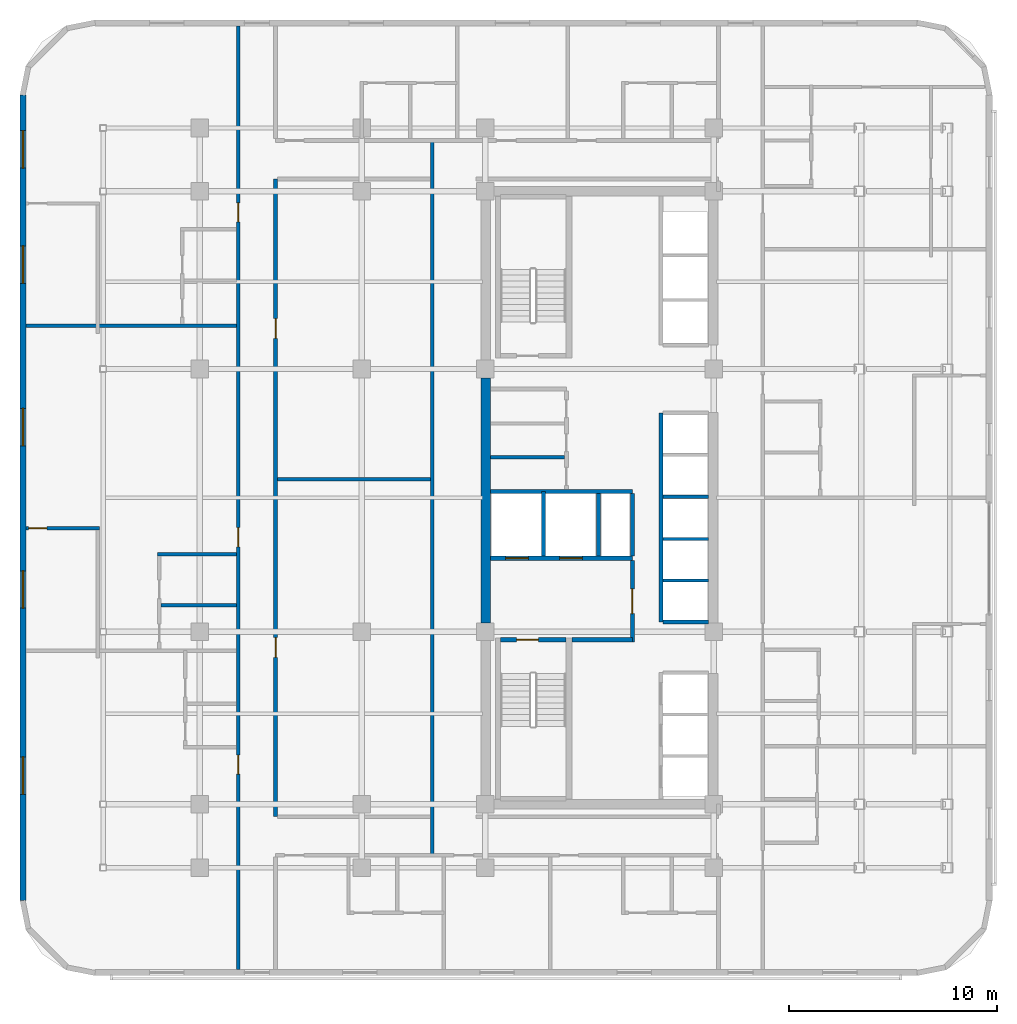
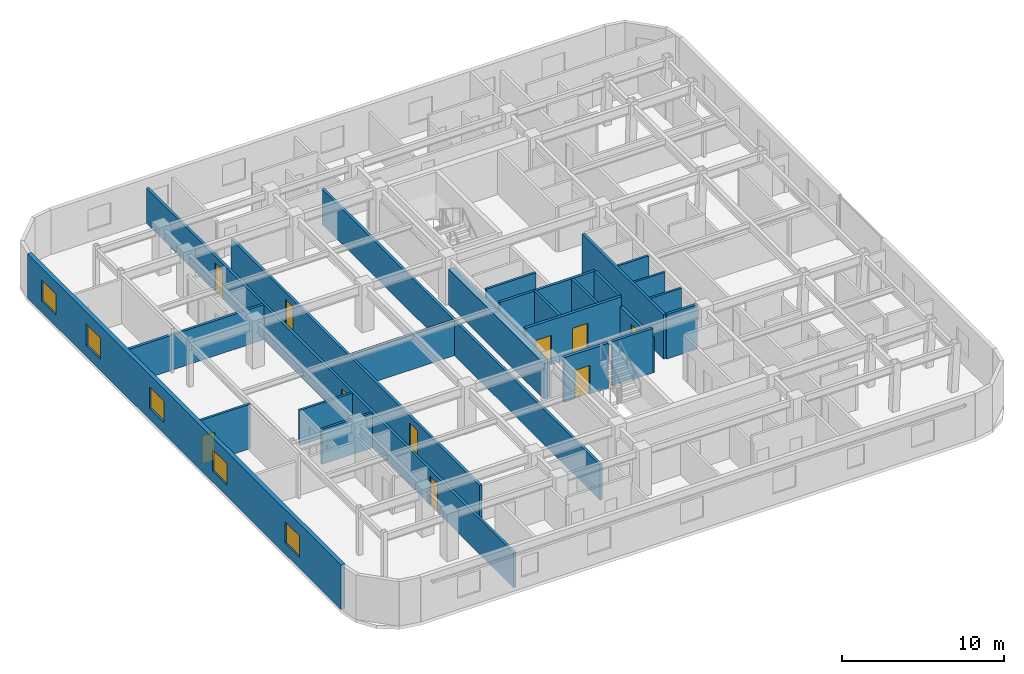
# One storey, part 8 of 15: 24 walls, 10 doors, 5 windows, 15 openings.
"""IFC4 building model written with IfcOpenShell, lengths in metres."""

from ifc_helpers import new_model, si_unit, direction, frame, frame_2d, origin, place, context, subcontext, project, spatial, rectangle, extrude, material, layer, layer_set, type_object, element, fill, save


model = new_model("IFC4")

# Units and contexts
model_context = context("Model", 3, precision=1e-05, world=origin(), true_north=direction((0.0, 1.0)))
body_context = subcontext(model_context, "Body", "Model", "MODEL_VIEW")
ifc_project = project(units=[si_unit("LENGTHUNIT", "METRE"), si_unit("AREAUNIT", "SQUARE_METRE"), si_unit("VOLUMEUNIT", "CUBIC_METRE"), si_unit("PLANEANGLEUNIT", "RADIAN"), si_unit("MASSUNIT", "GRAM", prefix="KILO")], contexts=[model_context])

# Site, building, storey
site_placement = place(None, origin())
site = spatial("IfcSite", under=ifc_project, at=site_placement, CompositionType="ELEMENT")
building_placement = place(site_placement, origin())
building = spatial("IfcBuilding", under=site, at=building_placement, Name="Ochreholt Gables", CompositionType="ELEMENT")
storey_placement = place(building_placement, frame((0.0, 0.0, 64.199951171875)))
storey = spatial("IfcBuildingStorey", under=building, at=storey_placement, Name="L16", CompositionType="ELEMENT", Elevation=64.199951171875)

# Wall
ifc_material_1 = material(Name="Concrete 60 MPa", Category="concrete")
ifc_layer_1 = layer(ifc_material_1, 0.449951171875, Name="Concrete 60 MPa")
ifc_layer_set_1 = layer_set([ifc_layer_1], Name="Concrete 60 MPa")
wall_type_1 = type_object("IfcWallType", Name="WALL-CSW-450", PredefinedType="SHEAR", material=ifc_layer_set_1)
wall_1_placement = place(storey_placement, frame((24.22509765625, 17.97509765625, 0.0), z_axis=(0.0, 0.0, 1.0), x_axis=(0.0, 1.0, 0.0)))
element("IfcWall", 1, at=wall_1_placement, inside=storey, type_object=wall_type_1, Name="L16 Core West Shear Wall WM", PredefinedType="SHEAR", context=body_context, shape_type="SweptSolid", body=[
    extrude(rectangle(XDim=11.7998046875, YDim=0.449951171875, at=frame_2d((5.89990234375, 0.0))), origin(), (0.0, 0.0, 1.0), 2.6669921875),
])

# Wall, openings, windows
ifc_material_2 = material(Name="Precast concrete 40 MPa", Category="concrete")
ifc_layer_2 = layer(ifc_material_2, 0.2900390625, Name="Precast concrete 40 MPa")
ifc_layer_set_2 = layer_set([ifc_layer_2], Name="Precast concrete 40 MPa")
wall_type_2 = type_object("IfcWallType", Name="WALL-EXT-290", PredefinedType="SOLIDWALL", material=ifc_layer_set_2)
wall_2_placement = place(storey_placement, frame((1.945068359375, 43.3798828125, 0.0), z_axis=(0.0, 0.0, 1.0), x_axis=(0.0, -1.0, 0.0)))
wall_2 = element("IfcWall", 2, at=wall_2_placement, inside=storey, type_object=wall_type_2, Name="L16 West Exterior Wall", PredefinedType="SOLIDWALL", context=body_context, shape_type="SweptSolid", body=[
    extrude(rectangle(XDim=38.759765625, YDim=0.2900390625, at=frame_2d((19.3798828125, 0.0))), origin(), (0.0, 0.0, 1.0), 3.360107421875),
])
opening_1_placement = place(wall_2_placement, frame((31.85009765625, 0.0, 0.85009765625)))
opening_1 = element("IfcOpeningElement", 3, at=opening_1_placement, cuts=wall_2, Name="Opening WN-1", PredefinedType="OPENING", context=body_context, shape_type="SweptSolid", body=[
    extrude(rectangle(XDim=1.800048828125, YDim=1.60009765625, at=frame_2d((0.89990234375, 0.800048828125))), frame((0.0, 0.155029296875, 0.0), z_axis=(0.0, -1.0, 0.0), x_axis=(1.0, 0.0, 0.0)), (0.0, 0.0, 1.0), 0.31005859375),
])
opening_2_placement = place(wall_2_placement, frame((22.89501953125, 0.0, 0.85009765625)))
opening_2 = element("IfcOpeningElement", 4, at=opening_2_placement, cuts=wall_2, Name="Opening WN-1", PredefinedType="OPENING", context=body_context, shape_type="SweptSolid", body=[
    extrude(rectangle(XDim=1.800048828125, YDim=1.60009765625, at=frame_2d((0.89990234375, 0.800048828125))), frame((0.0, 0.155029296875, 0.0), z_axis=(0.0, -1.0, 0.0), x_axis=(1.0, 0.0, 0.0)), (0.0, 0.0, 1.0), 0.31005859375),
])
opening_3_placement = place(wall_2_placement, frame((15.074951171875, 0.0, 0.85009765625)))
opening_3 = element("IfcOpeningElement", 5, at=opening_3_placement, cuts=wall_2, Name="Opening WN-1", PredefinedType="OPENING", context=body_context, shape_type="SweptSolid", body=[
    extrude(rectangle(XDim=1.800048828125, YDim=1.60009765625, at=frame_2d((0.89990234375, 0.800048828125))), frame((0.0, 0.155029296875, 0.0), z_axis=(0.0, -1.0, 0.0), x_axis=(1.0, 0.0, 0.0)), (0.0, 0.0, 1.0), 0.31005859375),
])
opening_4_placement = place(wall_2_placement, frame((7.2548828125, 0.0, 0.85009765625)))
opening_4 = element("IfcOpeningElement", 6, at=opening_4_placement, cuts=wall_2, Name="Opening WN-1", PredefinedType="OPENING", context=body_context, shape_type="SweptSolid", body=[
    extrude(rectangle(XDim=1.800048828125, YDim=1.60009765625, at=frame_2d((0.89990234375, 0.800048828125))), frame((0.0, 0.155029296875, 0.0), z_axis=(0.0, -1.0, 0.0), x_axis=(1.0, 0.0, 0.0)), (0.0, 0.0, 1.0), 0.31005859375),
])
opening_5_placement = place(wall_2_placement, frame((1.705078125, 0.0, 0.85009765625)))
opening_5 = element("IfcOpeningElement", 7, at=opening_5_placement, cuts=wall_2, Name="Opening WN-1", PredefinedType="OPENING", context=body_context, shape_type="SweptSolid", body=[
    extrude(rectangle(XDim=1.800048828125, YDim=1.60009765625, at=frame_2d((0.89990234375, 0.800048828125))), frame((0.0, 0.155029296875, 0.0), z_axis=(0.0, -1.0, 0.0), x_axis=(1.0, 0.0, 0.0)), (0.0, 0.0, 1.0), 0.31005859375),
])
ifc_material_3 = material(Name="Triple-Glazed Thermally Broken Aluminium Window", Category="aluminium")
window_type = type_object("IfcWindowType", Name="WIN-RES-1800", PartitioningType="SINGLE_PANEL", PredefinedType="WINDOW", material=ifc_material_3)
window_1_placement = place(opening_1_placement, origin())
window_1 = element("IfcWindow", 8, at=window_1_placement, inside=storey, type_object=window_type, Name="L16 Window W-EXT-W-L16-1", OverallHeight=1.60009765625, OverallWidth=1.800048828125, PartitioningType="SINGLE_PANEL", PredefinedType="WINDOW", context=body_context, shape_type="SweptSolid", body=[
    extrude(rectangle(XDim=1.800048828125, YDim=1.60009765625, at=frame_2d((0.89990234375, 0.800048828125))), frame((0.0, 0.030029296875, 0.0), z_axis=(0.0, -1.0, 0.0), x_axis=(1.0, 0.0, 0.0)), (0.0, 0.0, 1.0), 0.06005859375),
])
fill(opening_1, window_1)
window_2_placement = place(opening_2_placement, origin())
window_2 = element("IfcWindow", 9, at=window_2_placement, inside=storey, type_object=window_type, Name="L16 Window W-EXT-W-L16-2", OverallHeight=1.60009765625, OverallWidth=1.800048828125, PartitioningType="SINGLE_PANEL", PredefinedType="WINDOW", context=body_context, shape_type="SweptSolid", body=[
    extrude(rectangle(XDim=1.800048828125, YDim=1.60009765625, at=frame_2d((0.89990234375, 0.800048828125))), frame((0.0, 0.030029296875, 0.0), z_axis=(0.0, -1.0, 0.0), x_axis=(1.0, 0.0, 0.0)), (0.0, 0.0, 1.0), 0.06005859375),
])
fill(opening_2, window_2)
window_3_placement = place(opening_3_placement, origin())
window_3 = element("IfcWindow", 10, at=window_3_placement, inside=storey, type_object=window_type, Name="L16 Window W-EXT-W-L16-3", OverallHeight=1.60009765625, OverallWidth=1.800048828125, PartitioningType="SINGLE_PANEL", PredefinedType="WINDOW", context=body_context, shape_type="SweptSolid", body=[
    extrude(rectangle(XDim=1.800048828125, YDim=1.60009765625, at=frame_2d((0.89990234375, 0.800048828125))), frame((0.0, 0.030029296875, 0.0), z_axis=(0.0, -1.0, 0.0), x_axis=(1.0, 0.0, 0.0)), (0.0, 0.0, 1.0), 0.06005859375),
])
fill(opening_3, window_3)
window_4_placement = place(opening_4_placement, origin())
window_4 = element("IfcWindow", 11, at=window_4_placement, inside=storey, type_object=window_type, Name="L16 Window W-EXT-W-L16-4", OverallHeight=1.60009765625, OverallWidth=1.800048828125, PartitioningType="SINGLE_PANEL", PredefinedType="WINDOW", context=body_context, shape_type="SweptSolid", body=[
    extrude(rectangle(XDim=1.800048828125, YDim=1.60009765625, at=frame_2d((0.89990234375, 0.800048828125))), frame((0.0, 0.030029296875, 0.0), z_axis=(0.0, -1.0, 0.0), x_axis=(1.0, 0.0, 0.0)), (0.0, 0.0, 1.0), 0.06005859375),
])
fill(opening_4, window_4)
window_5_placement = place(opening_5_placement, origin())
window_5 = element("IfcWindow", 12, at=window_5_placement, inside=storey, type_object=window_type, Name="L16 Window W-EXT-W-L16-5", OverallHeight=1.60009765625, OverallWidth=1.800048828125, PartitioningType="SINGLE_PANEL", PredefinedType="WINDOW", context=body_context, shape_type="SweptSolid", body=[
    extrude(rectangle(XDim=1.800048828125, YDim=1.60009765625, at=frame_2d((0.89990234375, 0.800048828125))), frame((0.0, 0.030029296875, 0.0), z_axis=(0.0, -1.0, 0.0), x_axis=(1.0, 0.0, 0.0)), (0.0, 0.0, 1.0), 0.06005859375),
])
fill(opening_5, window_5)

# Wall, openings, doors
ifc_material_4 = material(Name="Concrete 40 MPa", Category="concrete")
ifc_layer_3 = layer(ifc_material_4, 0.199951171875, Name="Concrete 40 MPa")
ifc_layer_set_3 = layer_set([ifc_layer_3], Name="Concrete 40 MPa")
wall_type_3 = type_object("IfcWallType", Name="WALL-INT-CF200", PredefinedType="STANDARD", material=ifc_layer_set_3)
wall_3_placement = place(storey_placement, frame((24.449951171875, 21.090087890625, 0.0), z_axis=(0.0, 0.0, 1.0), x_axis=(1.0, 0.0, 0.0)))
wall_3 = element("IfcWall", 13, at=wall_3_placement, inside=storey, type_object=wall_type_3, Name="L16 Interior Wall WI-FFN-L16", PredefinedType="STANDARD", context=body_context, shape_type="SweptSolid", body=[
    extrude(rectangle(XDim=6.830078125, YDim=0.199951171875, at=frame_2d((3.4150390625, 0.0))), origin(), (0.0, 0.0, 1.0), 3.360107421875),
])
opening_6_placement = place(wall_3_placement, frame((0.719970703125, 0.0, 0.0)))
opening_6 = element("IfcOpeningElement", 14, at=opening_6_placement, cuts=wall_3, Name="Opening LD-FF", PredefinedType="OPENING", context=body_context, shape_type="SweptSolid", body=[
    extrude(rectangle(XDim=1.10009765625, YDim=2.199951171875, at=frame_2d((0.550048828125, 1.10009765625))), frame((0.0, 0.10986328125, 0.0), z_axis=(0.0, -1.0, 0.0), x_axis=(1.0, 0.0, 0.0)), (0.0, 0.0, 1.0), 0.219970703125),
])
opening_7_placement = place(wall_3_placement, frame((3.320068359375, 0.0, 0.0)))
opening_7 = element("IfcOpeningElement", 15, at=opening_7_placement, cuts=wall_3, Name="Opening LD-FF", PredefinedType="OPENING", context=body_context, shape_type="SweptSolid", body=[
    extrude(rectangle(XDim=1.10009765625, YDim=2.199951171875, at=frame_2d((0.550048828125, 1.10009765625))), frame((0.0, 0.10986328125, 0.0), z_axis=(0.0, -1.0, 0.0), x_axis=(1.0, 0.0, 0.0)), (0.0, 0.0, 1.0), 0.219970703125),
])
ifc_material_5 = material(Name="Stainless Steel", Category="steel")
door_type_1 = type_object("IfcDoorType", Name="DR-LFT-FF1100", OperationType="NOTDEFINED", PredefinedType="DOOR", material=ifc_material_5)
door_1_placement = place(opening_6_placement, origin())
door_1 = element("IfcDoor", 16, at=door_1_placement, inside=storey, type_object=door_type_1, Name="L16 Door LD-FF1-L16", OperationType="SLIDING_TO_LEFT", OverallHeight=2.199951171875, OverallWidth=1.10009765625, PredefinedType="DOOR", context=body_context, shape_type="SweptSolid", body=[
    extrude(rectangle(XDim=1.10009765625, YDim=2.199951171875, at=frame_2d((0.550048828125, 1.10009765625))), frame((0.0, 0.02490234375, 0.0), z_axis=(0.0, -1.0, 0.0), x_axis=(1.0, 0.0, 0.0)), (0.0, 0.0, 1.0), 0.050048828125),
])
fill(opening_6, door_1)
door_2_placement = place(opening_7_placement, origin())
door_2 = element("IfcDoor", 17, at=door_2_placement, inside=storey, type_object=door_type_1, Name="L16 Door LD-FF2-L16", OperationType="SLIDING_TO_LEFT", OverallHeight=2.199951171875, OverallWidth=1.10009765625, PredefinedType="DOOR", context=body_context, shape_type="SweptSolid", body=[
    extrude(rectangle(XDim=1.10009765625, YDim=2.199951171875, at=frame_2d((0.550048828125, 1.10009765625))), frame((0.0, 0.02490234375, 0.0), z_axis=(0.0, -1.0, 0.0), x_axis=(1.0, 0.0, 0.0)), (0.0, 0.0, 1.0), 0.050048828125),
])
fill(opening_7, door_2)

# Wall
wall_4_placement = place(storey_placement, frame((28.3798828125, 17.169921875, 0.0), z_axis=(0.0, 0.0, 1.0), x_axis=(1.0, 0.0, 0.0)))
element("IfcWall", 18, at=wall_4_placement, inside=storey, type_object=wall_type_3, Name="L16 Interior Wall WI-FFS-L16", PredefinedType="STANDARD", context=body_context, shape_type="SweptSolid", body=[
    extrude(rectangle(XDim=2.900146484375, YDim=0.199951171875, at=frame_2d((1.4501953125, 0.0))), origin(), (0.0, 0.0, 1.0), 3.360107421875),
])

# Wall, opening, door
wall_5_placement = place(storey_placement, frame((31.280029296875, 17.070068359375, 0.0), z_axis=(0.0, 0.0, 1.0), x_axis=(0.0, 1.0, 0.0)))
wall_5 = element("IfcWall", 19, at=wall_5_placement, inside=storey, type_object=wall_type_3, Name="L16 Interior Wall WI-FFE-L16", PredefinedType="STANDARD", context=body_context, shape_type="SweptSolid", body=[
    extrude(rectangle(XDim=3.919921875, YDim=0.199951171875, at=frame_2d((1.9599609375, 0.0))), origin(), (0.0, 0.0, 1.0), 2.649169921875),
])
opening_8_placement = place(wall_5_placement, frame((1.35009765625, 0.0, 0.0)))
opening_8 = element("IfcOpeningElement", 20, at=opening_8_placement, cuts=wall_5, Name="Opening D-FFL", PredefinedType="OPENING", context=body_context, shape_type="SweptSolid", body=[
    extrude(rectangle(XDim=1.199951171875, YDim=2.14990234375, at=frame_2d((0.60009765625, 1.074951171875))), frame((0.0, 0.10986328125, 0.0), z_axis=(0.0, -1.0, 0.0), x_axis=(1.0, 0.0, 0.0)), (0.0, 0.0, 1.0), 0.219970703125),
])
ifc_material_6 = material(Name="Hollow Metal Steel", Category="steel")
door_type_2 = type_object("IfcDoorType", Name="DR-INT-FFL1200", OperationType="NOTDEFINED", PredefinedType="DOOR", material=ifc_material_6)
door_3_placement = place(opening_8_placement, origin())
door_3 = element("IfcDoor", 21, at=door_3_placement, inside=storey, type_object=door_type_2, Name="L16 Door D-FFL-L16", OperationType="SINGLE_SWING_LEFT", OverallHeight=2.14990234375, OverallWidth=1.199951171875, PredefinedType="DOOR", context=body_context, shape_type="SweptSolid", body=[
    extrude(rectangle(XDim=1.199951171875, YDim=2.14990234375, at=frame_2d((0.60009765625, 1.074951171875))), frame((0.0, 0.02490234375, 0.0), z_axis=(0.0, -1.0, 0.0), x_axis=(1.0, 0.0, 0.0)), (0.0, 0.0, 1.0), 0.050048828125),
])
fill(opening_8, door_3)

# Wall
ifc_material_7 = material(Name="Fire-Rated Gypsum Acoustic Partition", Category="gypsum")
ifc_layer_4 = layer(ifc_material_7, 0.179931640625, Name="Fire-Rated Gypsum Acoustic Partition")
ifc_layer_set_4 = layer_set([ifc_layer_4], Name="Fire-Rated Gypsum Acoustic Partition")
wall_type_4 = type_object("IfcWallType", Name="WALL-INT-CR180", PredefinedType="STANDARD", material=ifc_layer_set_4)
wall_6_placement = place(storey_placement, frame((21.64990234375, 6.800048828125, 0.0), z_axis=(0.0, 0.0, 1.0), x_axis=(0.0, 1.0, 0.0)))
element("IfcWall", 22, at=wall_6_placement, inside=storey, type_object=wall_type_4, Name="L16 Interior Wall WI-C1W-L16", PredefinedType="STANDARD", context=body_context, shape_type="SweptSolid", body=[
    extrude(rectangle(XDim=34.39990234375, YDim=0.179931640625, at=frame_2d((17.199951171875, 0.0))), origin(), (0.0, 0.0, 1.0), 2.649169921875),
])

# Wall, openings, doors
wall_7_placement = place(storey_placement, frame((12.300048828125, 1.2900390625, 0.0), z_axis=(0.0, 0.0, 1.0), x_axis=(0.0, 1.0, 0.0)))
wall_7 = element("IfcWall", 23, at=wall_7_placement, inside=storey, type_object=wall_type_4, Name="L16 Interior Wall WI-C1WW-L16", PredefinedType="STANDARD", context=body_context, shape_type="SweptSolid", body=[
    extrude(rectangle(XDim=45.419921875, YDim=0.179931640625, at=frame_2d((22.7099609375, 0.0))), origin(), (0.0, 0.0, 1.0), 2.649169921875),
])
opening_9_placement = place(wall_7_placement, frame((9.409912109375, 0.0, 0.0)))
opening_9 = element("IfcOpeningElement", 24, at=opening_9_placement, cuts=wall_7, Name="Opening D-UN1", PredefinedType="OPENING", context=body_context, shape_type="SweptSolid", body=[
    extrude(rectangle(XDim=0.919921875, YDim=2.14990234375, at=frame_2d((0.4599609375, 1.074951171875))), frame((0.0, 0.099853515625, 0.0), z_axis=(0.0, -1.0, 0.0), x_axis=(1.0, 0.0, 0.0)), (0.0, 0.0, 1.0), 0.199951171875),
])
opening_10_placement = place(wall_7_placement, frame((20.35009765625, 0.0, 0.0)))
opening_10 = element("IfcOpeningElement", 25, at=opening_10_placement, cuts=wall_7, Name="Opening D-UN1", PredefinedType="OPENING", context=body_context, shape_type="SweptSolid", body=[
    extrude(rectangle(XDim=0.919921875, YDim=2.14990234375, at=frame_2d((0.4599609375, 1.074951171875))), frame((0.0, 0.099853515625, 0.0), z_axis=(0.0, -1.0, 0.0), x_axis=(1.0, 0.0, 0.0)), (0.0, 0.0, 1.0), 0.199951171875),
])
opening_11_placement = place(wall_7_placement, frame((35.989990234375, 0.0, 0.0)))
opening_11 = element("IfcOpeningElement", 26, at=opening_11_placement, cuts=wall_7, Name="Opening D-UN1", PredefinedType="OPENING", context=body_context, shape_type="SweptSolid", body=[
    extrude(rectangle(XDim=0.919921875, YDim=2.14990234375, at=frame_2d((0.4599609375, 1.074951171875))), frame((0.0, 0.099853515625, 0.0), z_axis=(0.0, -1.0, 0.0), x_axis=(1.0, 0.0, 0.0)), (0.0, 0.0, 1.0), 0.199951171875),
])
ifc_material_8 = material(Name="Engineered Oak Timber", Category="wood")
door_type_3 = type_object("IfcDoorType", Name="DR-INT-UNT920", OperationType="NOTDEFINED", PredefinedType="DOOR", material=ifc_material_8)
door_4_placement = place(opening_9_placement, origin())
door_4 = element("IfcDoor", 27, at=door_4_placement, inside=storey, type_object=door_type_3, Name="L16 Door D-U-L16W1-ENT", OperationType="SINGLE_SWING_RIGHT", OverallHeight=2.14990234375, OverallWidth=0.919921875, PredefinedType="DOOR", context=body_context, shape_type="SweptSolid", body=[
    extrude(rectangle(XDim=0.919921875, YDim=2.14990234375, at=frame_2d((0.4599609375, 1.074951171875))), frame((0.0, 0.02490234375, 0.0), z_axis=(0.0, -1.0, 0.0), x_axis=(1.0, 0.0, 0.0)), (0.0, 0.0, 1.0), 0.050048828125),
])
fill(opening_9, door_4)
door_5_placement = place(opening_10_placement, origin())
door_5 = element("IfcDoor", 28, at=door_5_placement, inside=storey, type_object=door_type_3, Name="L16 Door D-U-L16W2-ENT", OperationType="SINGLE_SWING_LEFT", OverallHeight=2.14990234375, OverallWidth=0.919921875, PredefinedType="DOOR", context=body_context, shape_type="SweptSolid", body=[
    extrude(rectangle(XDim=0.919921875, YDim=2.14990234375, at=frame_2d((0.4599609375, 1.074951171875))), frame((0.0, 0.02490234375, 0.0), z_axis=(0.0, -1.0, 0.0), x_axis=(1.0, 0.0, 0.0)), (0.0, 0.0, 1.0), 0.050048828125),
])
fill(opening_10, door_5)
door_6_placement = place(opening_11_placement, origin())
door_6 = element("IfcDoor", 29, at=door_6_placement, inside=storey, type_object=door_type_3, Name="L16 Door D-U-L16W3-ENT", OperationType="SINGLE_SWING_RIGHT", OverallHeight=2.14990234375, OverallWidth=0.919921875, PredefinedType="DOOR", context=body_context, shape_type="SweptSolid", body=[
    extrude(rectangle(XDim=0.919921875, YDim=2.14990234375, at=frame_2d((0.4599609375, 1.074951171875))), frame((0.0, 0.02490234375, 0.0), z_axis=(0.0, -1.0, 0.0), x_axis=(1.0, 0.0, 0.0)), (0.0, 0.0, 1.0), 0.050048828125),
])
fill(opening_11, door_6)

wall_8_placement = place(storey_placement, frame((14.10009765625, 8.64990234375, 0.0), z_axis=(0.0, 0.0, 1.0), x_axis=(0.0, 1.0, 0.0)))
wall_8 = element("IfcWall", 30, at=wall_8_placement, inside=storey, type_object=wall_type_4, Name="L16 Interior Wall WI-C1WE-L16", PredefinedType="STANDARD", context=body_context, shape_type="SweptSolid", body=[
    extrude(rectangle(XDim=30.7001953125, YDim=0.179931640625, at=frame_2d((15.35009765625, 0.0))), origin(), (0.0, 0.0, 1.0), 2.649169921875),
])
opening_12_placement = place(wall_8_placement, frame((7.675048828125, 0.0, 0.0)))
opening_12 = element("IfcOpeningElement", 31, at=opening_12_placement, cuts=wall_8, Name="Opening D-GN1", PredefinedType="OPENING", context=body_context, shape_type="SweptSolid", body=[
    extrude(rectangle(XDim=0.949951171875, YDim=2.14990234375, at=frame_2d((0.47509765625, 1.074951171875))), frame((0.0, 0.099853515625, 0.0), z_axis=(0.0, -1.0, 0.0), x_axis=(1.0, 0.0, 0.0)), (0.0, 0.0, 1.0), 0.199951171875),
])
opening_13_placement = place(wall_8_placement, frame((23.02490234375, 0.0, 0.0)))
opening_13 = element("IfcOpeningElement", 32, at=opening_13_placement, cuts=wall_8, Name="Opening D-GN1", PredefinedType="OPENING", context=body_context, shape_type="SweptSolid", body=[
    extrude(rectangle(XDim=0.949951171875, YDim=2.14990234375, at=frame_2d((0.47509765625, 1.074951171875))), frame((0.0, 0.099853515625, 0.0), z_axis=(0.0, -1.0, 0.0), x_axis=(1.0, 0.0, 0.0)), (0.0, 0.0, 1.0), 0.199951171875),
])
door_type_4 = type_object("IfcDoorType", Name="DR-INT-GEN950", OperationType="NOTDEFINED", PredefinedType="DOOR", material=ifc_material_8)
door_7_placement = place(opening_12_placement, origin())
door_7 = element("IfcDoor", 33, at=door_7_placement, inside=storey, type_object=door_type_4, Name="L16 Door D-C1IW1-L16", OperationType="SINGLE_SWING_LEFT", OverallHeight=2.14990234375, OverallWidth=0.949951171875, PredefinedType="DOOR", context=body_context, shape_type="SweptSolid", body=[
    extrude(rectangle(XDim=0.949951171875, YDim=2.14990234375, at=frame_2d((0.47509765625, 1.074951171875))), frame((0.0, 0.02490234375, 0.0), z_axis=(0.0, -1.0, 0.0), x_axis=(1.0, 0.0, 0.0)), (0.0, 0.0, 1.0), 0.050048828125),
])
fill(opening_12, door_7)
door_8_placement = place(opening_13_placement, origin())
door_8 = element("IfcDoor", 34, at=door_8_placement, inside=storey, type_object=door_type_4, Name="L16 Door D-C1IW2-L16", OperationType="SINGLE_SWING_RIGHT", OverallHeight=2.14990234375, OverallWidth=0.949951171875, PredefinedType="DOOR", context=body_context, shape_type="SweptSolid", body=[
    extrude(rectangle(XDim=0.949951171875, YDim=2.14990234375, at=frame_2d((0.47509765625, 1.074951171875))), frame((0.0, 0.02490234375, 0.0), z_axis=(0.0, -1.0, 0.0), x_axis=(1.0, 0.0, 0.0)), (0.0, 0.0, 1.0), 0.050048828125),
])
fill(opening_13, door_8)

# Walls
ifc_material_9 = material(Name="Double-Stud Acoustic Demising Wall", Category="gypsum")
ifc_layer_5 = layer(ifc_material_9, 0.179931640625, Name="Double-Stud Acoustic Demising Wall")
ifc_layer_set_5 = layer_set([ifc_layer_5], Name="Double-Stud Acoustic Demising Wall")
wall_type_5 = type_object("IfcWallType", Name="WALL-INT-DM180", PredefinedType="PARTITIONING", material=ifc_layer_set_5)
wall_9_placement = place(storey_placement, frame((2.090087890625, 32.280029296875, 0.0), z_axis=(0.0, 0.0, 1.0), x_axis=(1.0, 0.0, 0.0)))
element("IfcWall", 35, at=wall_9_placement, inside=storey, type_object=wall_type_5, Name="L16 Interior Wall WI-UDW3-L16", PredefinedType="PARTITIONING", context=body_context, shape_type="SweptSolid", body=[
    extrude(rectangle(XDim=10.119873046875, YDim=0.179931640625, at=frame_2d((5.06005859375, 0.0))), origin(), (0.0, 0.0, 1.0), 2.649169921875),
])
ifc_material_10 = material(Name="Moisture-Resistant Plumbing Chase Wall", Category="gypsum")
ifc_layer_6 = layer(ifc_material_10, 0.159912109375, Name="Moisture-Resistant Plumbing Chase Wall")
ifc_layer_set_6 = layer_set([ifc_layer_6], Name="Moisture-Resistant Plumbing Chase Wall")
wall_type_6 = type_object("IfcWallType", Name="WALL-INT-PL160", PredefinedType="PLUMBINGWALL", material=ifc_layer_set_6)
wall_10_placement = place(storey_placement, frame((8.429931640625, 21.280029296875, 0.0), z_axis=(0.0, 0.0, 1.0), x_axis=(1.0, 0.0, 0.0)))
element("IfcWall", 36, at=wall_10_placement, inside=storey, type_object=wall_type_6, Name="L16 Interior Wall WU-L16W2-WYN", PredefinedType="PLUMBINGWALL", context=body_context, shape_type="SweptSolid", body=[
    extrude(rectangle(XDim=3.780029296875, YDim=0.159912109375, at=frame_2d((1.89013671875, 0.0))), origin(), (0.0, 0.0, 1.0), 2.649169921875),
])
wall_11_placement = place(storey_placement, frame((8.590087890625, 18.822998046875, 0.0), z_axis=(0.0, 0.0, 1.0), x_axis=(1.0, 0.0, 0.0)))
element("IfcWall", 37, at=wall_11_placement, inside=storey, type_object=wall_type_6, Name="L16 Interior Wall WU-L16W2-WM", PredefinedType="PLUMBINGWALL", context=body_context, shape_type="SweptSolid", body=[
    extrude(rectangle(XDim=3.619873046875, YDim=0.159912109375, at=frame_2d((1.81005859375, 0.0))), origin(), (0.0, 0.0, 1.0), 2.649169921875),
])
ifc_material_11 = material(Name="Gypsum Acoustic Stud Partition", Category="gypsum")
ifc_layer_7 = layer(ifc_material_11, 0.159912109375, Name="Gypsum Acoustic Stud Partition")
ifc_layer_set_7 = layer_set([ifc_layer_7], Name="Gypsum Acoustic Stud Partition")
wall_type_7 = type_object("IfcWallType", Name="WALL-INT-PT160", PredefinedType="PARTITIONING", material=ifc_layer_set_7)
wall_12_placement = place(storey_placement, frame((24.449951171875, 25.949951171875, 0.0), z_axis=(0.0, 0.0, 1.0), x_axis=(1.0, 0.0, 0.0)))
element("IfcWall", 38, at=wall_12_placement, inside=storey, type_object=wall_type_7, Name="L16 Interior Wall WI-SRVP1-L16", PredefinedType="PARTITIONING", context=body_context, shape_type="SweptSolid", body=[
    extrude(rectangle(XDim=3.550048828125, YDim=0.159912109375, at=frame_2d((1.77490234375, 0.0))), origin(), (0.0, 0.0, 1.0), 3.360107421875),
])

# Wall, opening, door
wall_13_placement = place(storey_placement, frame((2.090087890625, 22.530029296875, 0.0), z_axis=(0.0, 0.0, 1.0), x_axis=(1.0, 0.0, 0.0)))
wall_13 = element("IfcWall", 39, at=wall_13_placement, inside=storey, type_object=wall_type_7, Name="L16 Interior Wall WU-L16W2-STN", PredefinedType="PARTITIONING", context=body_context, shape_type="SweptSolid", body=[
    extrude(rectangle(XDim=3.539794921875, YDim=0.159912109375, at=frame_2d((1.77001953125, 0.0))), origin(), (0.0, 0.0, 1.0), 3.360107421875),
])
opening_14_placement = place(wall_13_placement, frame((0.1201171875, 0.0, 0.0)))
opening_14 = element("IfcOpeningElement", 40, at=opening_14_placement, cuts=wall_13, Name="Opening D-GN2", PredefinedType="OPENING", context=body_context, shape_type="SweptSolid", body=[
    extrude(rectangle(XDim=0.8798828125, YDim=2.1201171875, at=frame_2d((0.43994140625, 1.06005859375))), frame((0.0, 0.08984375, 0.0), z_axis=(0.0, -1.0, 0.0), x_axis=(1.0, 0.0, 0.0)), (0.0, 0.0, 1.0), 0.179931640625),
])
door_type_5 = type_object("IfcDoorType", Name="DR-INT-GEN880", OperationType="NOTDEFINED", PredefinedType="DOOR", material=ifc_material_8)
door_9_placement = place(opening_14_placement, origin())
door_9 = element("IfcDoor", 41, at=door_9_placement, inside=storey, type_object=door_type_5, Name="L16 Door D-U-L16W2-STD", OperationType="SINGLE_SWING_RIGHT", OverallHeight=2.1201171875, OverallWidth=0.8798828125, PredefinedType="DOOR", context=body_context, shape_type="SweptSolid", body=[
    extrude(rectangle(XDim=0.8798828125, YDim=2.1201171875, at=frame_2d((0.43994140625, 1.06005859375))), frame((0.0, 0.02490234375, 0.0), z_axis=(0.0, -1.0, 0.0), x_axis=(1.0, 0.0, 0.0)), (0.0, 0.0, 1.0), 0.050048828125),
])
fill(opening_14, door_9)

# Walls
wall_14_placement = place(storey_placement, frame((14.18994140625, 24.89990234375, 0.0), z_axis=(0.0, 0.0, 1.0), x_axis=(1.0, 0.0, 0.0)))
element("IfcWall", 42, at=wall_14_placement, inside=storey, type_object=wall_type_7, Name="L16 Interior Wall WI-UDWI1-L16", PredefinedType="PARTITIONING", context=body_context, shape_type="SweptSolid", body=[
    extrude(rectangle(XDim=7.3701171875, YDim=0.159912109375, at=frame_2d((3.68505859375, 0.0))), origin(), (0.0, 0.0, 1.0), 2.649169921875),
])
ifc_material_12 = material(Name="Gypsum Shaftliner and Steel Stud", Category="steel")
ifc_layer_8 = layer(ifc_material_12, 0.14990234375, Name="Gypsum Shaftliner and Steel Stud")
ifc_layer_set_8 = layer_set([ifc_layer_8], Name="Gypsum Shaftliner and Steel Stud")
wall_type_8 = type_object("IfcWallType", Name="WALL-INT-SH150", PredefinedType="STANDARD", material=ifc_layer_set_8)
for number, where, z_axis, x_axis, name in (
    (43, (32.739990234375, 20.02001953125, 0.0), (0.0, 0.0, 1.0), (1.0, 0.0, 0.0), "L16 Interior Wall WI-LFHE-DH1-L16"),
    (44, (32.739990234375, 22.02001953125, 0.0), (0.0, 0.0, 1.0), (1.0, 0.0, 0.0), "L16 Interior Wall WI-LFHE-DH2-L16"),
    (45, (32.739990234375, 24.050048828125, 0.0), (0.0, 0.0, 1.0), (1.0, 0.0, 0.0), "L16 Interior Wall WI-LFHE-DHE-L16"),
):
    element("IfcWall", number, at=place(storey_placement, frame(where, z_axis=z_axis, x_axis=x_axis)), inside=storey, type_object=wall_type_8, Name=name, PredefinedType="STANDARD", context=body_context, shape_type="SweptSolid", body=[
        extrude(rectangle(XDim=2.2099609375, YDim=0.14990234375, at=frame_2d((1.10498046875, 0.0))), origin(), (0.0, 0.0, 1.0), 3.360107421875),
    ])
ifc_layer_9 = layer(ifc_material_12, 0.179931640625, Name="Gypsum Shaftliner and Steel Stud")
ifc_layer_set_9 = layer_set([ifc_layer_9], Name="Gypsum Shaftliner and Steel Stud")
wall_type_9 = type_object("IfcWallType", Name="WALL-INT-SH180", PredefinedType="STANDARD", material=ifc_layer_set_9)
wall_15_placement = place(storey_placement, frame((27.0, 21.18994140625, 0.0), z_axis=(0.0, 0.0, 1.0), x_axis=(0.0, 1.0, 0.0)))
element("IfcWall", 46, at=wall_15_placement, inside=storey, type_object=wall_type_9, Name="L16 Interior Wall WI-FFDIV-L16", PredefinedType="STANDARD", context=body_context, shape_type="SweptSolid", body=[
    extrude(rectangle(XDim=3.110107421875, YDim=0.179931640625, at=frame_2d((1.55517578125, 0.0))), origin(), (0.0, 0.0, 1.0), 3.360107421875),
])
wall_16_placement = place(storey_placement, frame((24.449951171875, 24.300048828125, 0.0), z_axis=(0.0, 0.0, 1.0), x_axis=(1.0, 0.0, 0.0)))
element("IfcWall", 47, at=wall_16_placement, inside=storey, type_object=wall_type_9, Name="L16 Interior Wall WI-FFBK-L16", PredefinedType="STANDARD", context=body_context, shape_type="SweptSolid", body=[
    extrude(rectangle(XDim=6.830078125, YDim=0.179931640625, at=frame_2d((3.4150390625, 0.0))), origin(), (0.0, 0.0, 1.0), 3.360107421875),
])
for number, where, z_axis, x_axis, name in (
    (48, (29.64990234375, 21.18994140625, 0.0), (0.0, 0.0, 1.0), (0.0, 1.0, 0.0), "L16 Interior Wall WI-FFSH-L16"),
    (49, (31.280029296875, 21.18994140625, 0.0), (0.0, 0.0, 1.0), (0.0, 1.0, 0.0), "L16 Interior Wall WI-RSE-L16"),
):
    element("IfcWall", number, at=place(storey_placement, frame(where, z_axis=z_axis, x_axis=x_axis)), inside=storey, type_object=wall_type_9, Name=name, PredefinedType="STANDARD", context=body_context, shape_type="SweptSolid", body=[
        extrude(rectangle(XDim=3.02001953125, YDim=0.179931640625, at=frame_2d((1.510009765625, 0.0))), origin(), (0.0, 0.0, 1.0), 3.360107421875),
    ])
wall_17_placement = place(storey_placement, frame((32.64990234375, 18.02001953125, 0.0), z_axis=(0.0, 0.0, 1.0), x_axis=(0.0, 1.0, 0.0)))
element("IfcWall", 50, at=wall_17_placement, inside=storey, type_object=wall_type_9, Name="L16 Interior Wall WI-LFHE-FR-L16", PredefinedType="STANDARD", context=body_context, shape_type="SweptSolid", body=[
    extrude(rectangle(XDim=10.06005859375, YDim=0.179931640625, at=frame_2d((5.030029296875, 0.0))), origin(), (0.0, 0.0, 1.0), 3.360107421875),
])
wall_18_placement = place(storey_placement, frame((32.739990234375, 18.02001953125, 0.0), z_axis=(0.0, 0.0, 1.0), x_axis=(1.0, 0.0, 0.0)))
element("IfcWall", 51, at=wall_18_placement, inside=storey, type_object=wall_type_9, Name="L16 Interior Wall WI-LFHE-S-L16", PredefinedType="STANDARD", context=body_context, shape_type="SweptSolid", body=[
    extrude(rectangle(XDim=2.2099609375, YDim=0.179931640625, at=frame_2d((1.10498046875, 0.0))), origin(), (0.0, 0.0, 1.0), 3.360107421875),
])

# Wall, opening, door
ifc_material_13 = material(Name="Concrete 50 MPa", Category="concrete")
ifc_layer_10 = layer(ifc_material_13, 0.219970703125, Name="Concrete 50 MPa")
ifc_layer_set_10 = layer_set([ifc_layer_10], Name="Concrete 50 MPa")
wall_type_10 = type_object("IfcWallType", Name="WALL-STW-220", PredefinedType="SHEAR", material=ifc_layer_set_10)
wall_19_placement = place(storey_placement, frame((24.919921875, 17.169921875, 0.0), z_axis=(0.0, 0.0, 1.0), x_axis=(1.0, 0.0, 0.0)))
wall_19 = element("IfcWall", 52, at=wall_19_placement, inside=storey, type_object=wall_type_10, Name="L16 Exit Stair 1 North Wall", PredefinedType="SHEAR", context=body_context, shape_type="SweptSolid", body=[
    extrude(rectangle(XDim=3.16015625, YDim=0.219970703125, at=frame_2d((1.580078125, 0.0))), origin(), (0.0, 0.0, 1.0), 3.360107421875),
])
opening_15_placement = place(wall_19_placement, frame((0.780029296875, 0.0, 0.0)))
opening_15 = element("IfcOpeningElement", 53, at=opening_15_placement, cuts=wall_19, Name="Opening D-STC", PredefinedType="OPENING", context=body_context, shape_type="SweptSolid", body=[
    extrude(rectangle(XDim=1.050048828125, YDim=2.14990234375, at=frame_2d((0.52490234375, 1.074951171875))), frame((0.0, 0.119873046875, 0.0), z_axis=(0.0, -1.0, 0.0), x_axis=(1.0, 0.0, 0.0)), (0.0, 0.0, 1.0), 0.239990234375),
])
door_type_6 = type_object("IfcDoorType", Name="DR-INT-ST1050", OperationType="NOTDEFINED", PredefinedType="DOOR", material=ifc_material_6)
door_10_placement = place(opening_15_placement, frame((1.050048828125, 0.0, 0.0), z_axis=(0.0, 0.0, 1.0), x_axis=(-1.0, 0.0, 0.0)))
door_10 = element("IfcDoor", 54, at=door_10_placement, inside=storey, type_object=door_type_6, Name="L16 Door D-ST1-L16", OperationType="SINGLE_SWING_LEFT", OverallHeight=2.14990234375, OverallWidth=1.050048828125, PredefinedType="DOOR", context=body_context, shape_type="SweptSolid", body=[
    extrude(rectangle(XDim=1.050048828125, YDim=2.14990234375, at=frame_2d((0.52490234375, 1.074951171875))), frame((0.0, 0.02490234375, 0.0), z_axis=(0.0, -1.0, 0.0), x_axis=(1.0, 0.0, 0.0)), (0.0, 0.0, 1.0), 0.050048828125),
])
fill(opening_15, door_10)

save(model, "model.ifc")
